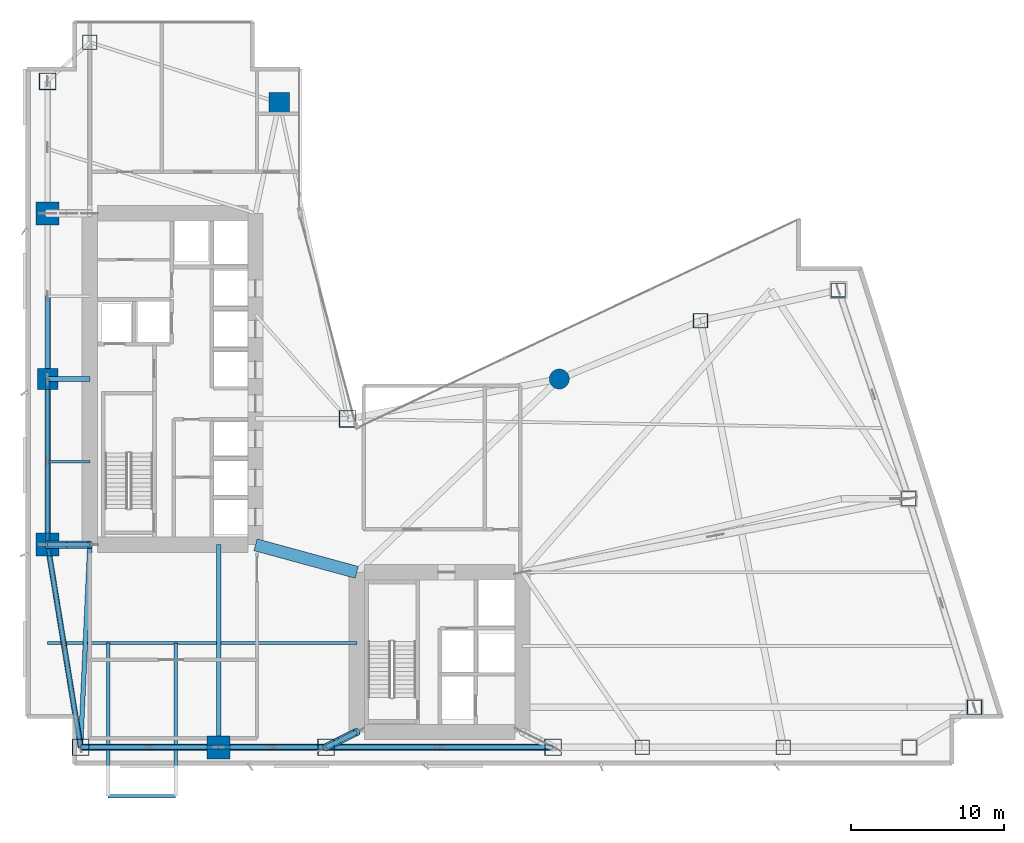
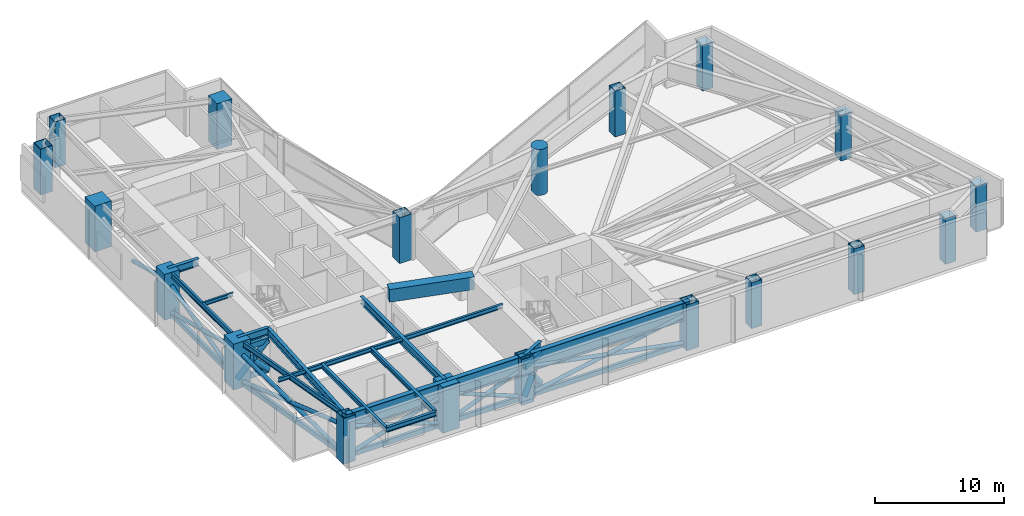
# One storey, part 1 of 18: 31 members, 19 columns, 16 beams.
"""IFC4 building model written with IfcOpenShell, lengths in metres."""

from ifc_helpers import new_model, si_unit, direction, frame, origin, origin_2d, place, context, subcontext, project, spatial, rectangle, hollow_rectangle, circle, hollow_circle, i_section, extrude, material, material_profile, profile_set, type_object, element, save


model = new_model("IFC4")

# Units and contexts
model_context = context("Model", 3, precision=1e-05, world=origin(), true_north=direction((0.0, 1.0)))
body_context = subcontext(model_context, "Body", "Model", "MODEL_VIEW")
ifc_project = project(units=[si_unit("LENGTHUNIT", "METRE"), si_unit("AREAUNIT", "SQUARE_METRE"), si_unit("VOLUMEUNIT", "CUBIC_METRE"), si_unit("PLANEANGLEUNIT", "RADIAN"), si_unit("MASSUNIT", "GRAM", prefix="KILO")], contexts=[model_context])

# Site, building, storey
site_placement = place(None, origin())
site = spatial("IfcSite", under=ifc_project, at=site_placement, CompositionType="ELEMENT")
building_placement = place(site_placement, origin())
building = spatial("IfcBuilding", under=site, at=building_placement, Name="Calvorn Quay Hotel", CompositionType="ELEMENT")
storey_placement = place(building_placement, frame((0.0, 0.0, 92.60009765625)))
storey = spatial("IfcBuildingStorey", under=building, at=storey_placement, Name="L22", CompositionType="ELEMENT", Elevation=92.60009765625)

# Columns
ifc_material_1 = material(Name="Concrete C60", Category="concrete")
ifc_material_profile_1 = material_profile(ifc_material_1, rectangle(XDim=1.35009765625, YDim=1.35009765625, at=origin_2d()), Name="RC1350x1350")
ifc_profile_set_1 = profile_set([ifc_material_profile_1], Name="Concrete C60")
column_type_1 = type_object("IfcColumnType", Name="COL-RC-1350", PredefinedType="COLUMN", material=ifc_profile_set_1)
for number, where, z_axis, x_axis, name in (
    (1, (1.449951171875, 27.60009765625, 0.0), (0.0, 0.0, 1.0), (1.0, 0.0, 0.0), "Column C-W3 (L22)"),
    (2, (16.550048828125, 45.60009765625, 0.0), (0.0, 0.0, 1.0), (1.0, 0.0, 0.0), "Column C-IC1 (L22)"),
):
    element("IfcColumn", number, at=place(storey_placement, frame(where, z_axis=z_axis, x_axis=x_axis)), inside=storey, type_object=column_type_1, Name=name, PredefinedType="COLUMN", context=body_context, shape_type="SweptSolid", body=[
        extrude(rectangle(XDim=1.35009765625, YDim=1.35009765625, at=origin_2d()), origin(), (0.0, 0.0, 1.0), 4.349853515625),
    ])
ifc_material_2 = material(Name="Concrete C60", Category="concrete")
ifc_material_profile_2 = material_profile(ifc_material_2, rectangle(XDim=1.5, YDim=1.5, at=origin_2d()), Name="RC1500x1500")
ifc_profile_set_2 = profile_set([ifc_material_profile_2], Name="Concrete C60")
column_type_2 = type_object("IfcColumnType", Name="COL-RC-1500", PredefinedType="COLUMN", material=ifc_profile_set_2)
for number, where, z_axis, x_axis, name in (
    (3, (1.449951171875, 16.800048828125, 0.0), (0.0, 0.0, 1.0), (1.0, 0.0, 0.0), "Column C-W2 (L22)"),
    (4, (1.449951171875, 38.39990234375, 0.0), (0.0, 0.0, 1.0), (1.0, 0.0, 0.0), "Column C-W4 (L22)"),
    (5, (12.60009765625, 3.60009765625, 0.0), (0.0, 0.0, 1.0), (1.0, 0.0, 0.0), "Column C-S1 (L22)"),
):
    element("IfcColumn", number, at=place(storey_placement, frame(where, z_axis=z_axis, x_axis=x_axis)), inside=storey, type_object=column_type_2, Name=name, PredefinedType="COLUMN", context=body_context, shape_type="SweptSolid", body=[
        extrude(rectangle(XDim=1.5, YDim=1.5, at=origin_2d()), origin(), (0.0, 0.0, 1.0), 4.349853515625),
    ])
ifc_material_3 = material(Name="Concrete C60", Category="concrete")
ifc_material_profile_3 = material_profile(ifc_material_3, circle(Radius=0.64990234375, at=origin_2d()), Name="RCD1300")
ifc_profile_set_3 = profile_set([ifc_material_profile_3], Name="Concrete C60")
column_type_3 = type_object("IfcColumnType", Name="COL-RC-D1300", PredefinedType="COLUMN", material=ifc_profile_set_3)
column_placement = place(storey_placement, frame((34.800048828125, 27.60009765625, 0.0), z_axis=(0.0, 0.0, 1.0), x_axis=(1.0, 0.0, 0.0)))
element("IfcColumn", 6, at=column_placement, inside=storey, type_object=column_type_3, Name="Column C-NC1 (L22)", PredefinedType="COLUMN", context=body_context, shape_type="SweptSolid", body=[
    extrude(circle(Radius=0.64990234375, at=origin_2d()), origin(), (0.0, 0.0, 1.0), 4.349853515625),
])
ifc_material_4 = material(Name="Steel Q420GJC", Category="steel")
ifc_material_profile_4 = material_profile(ifc_material_4, hollow_rectangle(XDim=1.10009765625, YDim=1.10009765625, WallThickness=0.044921875, at=origin_2d()), Name="BOX1100x1100x45")
ifc_profile_set_4 = profile_set([ifc_material_profile_4], Name="Steel Q420GJC")
column_type_4 = type_object("IfcColumnType", Name="COL-STL-MEGA1", PredefinedType="COLUMN", material=ifc_profile_set_4)
for number, where, z_axis, x_axis, name in (
    (7, (3.60009765625, 3.60009765625, 0.0), (0.0, 0.0, 1.0), (1.0, 0.0, 0.0), "Column C-W1 (L22)"),
    (8, (1.449951171875, 47.0, 0.0), (0.0, 0.0, 1.0), (1.0, 0.0, 0.0), "Column C-W5 (L22)"),
    (9, (21.0, 25.0, 0.0), (0.0, 0.0, 1.0), (1.0, 0.0, 0.0), "Column C-IC2 (L22)"),
    (10, (19.60009765625, 3.60009765625, 0.0), (0.0, 0.0, 1.0), (1.0, 0.0, 0.0), "Column C-S2 (L22)"),
    (11, (34.39990234375, 3.60009765625, 0.0), (0.0, 0.0, 1.0), (1.0, 0.0, 0.0), "Column C-S3 (L22)"),
):
    element("IfcColumn", number, at=place(storey_placement, frame(where, z_axis=z_axis, x_axis=x_axis)), inside=storey, type_object=column_type_4, Name=name, PredefinedType="COLUMN", context=body_context, shape_type="SweptSolid", body=[
        extrude(hollow_rectangle(XDim=1.10009765625, YDim=1.10009765625, WallThickness=0.044921875, at=origin_2d()), origin(), (0.0, 0.0, 1.0), 4.349853515625),
    ])
ifc_material_5 = material(Name="Steel Q420GJC", Category="steel")
ifc_material_profile_5 = material_profile(ifc_material_5, hollow_rectangle(XDim=0.949951171875, YDim=0.949951171875, WallThickness=0.0400390625, at=origin_2d()), Name="BOX950x950x40")
ifc_profile_set_5 = profile_set([ifc_material_profile_5], Name="Steel Q420GJC")
column_type_5 = type_object("IfcColumnType", Name="COL-STL-MEGA2", PredefinedType="COLUMN", material=ifc_profile_set_5)
for number, where, z_axis, x_axis, name in (
    (12, (4.199951171875, 49.550048828125, 0.0), (0.0, 0.0, 1.0), (1.0, 0.0, 0.0), "Column C-NW1 (L22)"),
    (13, (40.199951171875, 3.60009765625, 0.0), (0.0, 0.0, 1.0), (1.0, 0.0, 0.0), "Column C-S4 (L22)"),
    (14, (49.39990234375, 3.60009765625, 0.0), (0.0, 0.0, 1.0), (1.0, 0.0, 0.0), "Column C-S5 (L22)"),
    (15, (57.60009765625, 3.60009765625, 0.0), (0.0, 0.0, 1.0), (1.0, 0.0, 0.0), "Column C-S6 (L22)"),
    (16, (44.0, 31.39990234375, 0.0), (0.0, 0.0, 1.0), (1.0, 0.0, 0.0), "Column C-NC2 (L22)"),
    (17, (61.861083984375, 6.199951171875, 0.0), (0.0, 0.0, 1.0), (1.0, 0.0, 0.0), "Column C-ET1 (L22)"),
    (18, (57.575927734375, 19.800048828125, 0.0), (0.0, 0.0, 1.0), (1.0, 0.0, 0.0), "Column C-ET2 (L22)"),
    (19, (52.990966796875, 33.39990234375, 0.0), (0.0, 0.0, 1.0), (1.0, 0.0, 0.0), "Column C-ET3 (L22)"),
):
    element("IfcColumn", number, at=place(storey_placement, frame(where, z_axis=z_axis, x_axis=x_axis)), inside=storey, type_object=column_type_5, Name=name, PredefinedType="COLUMN", context=body_context, shape_type="SweptSolid", body=[
        extrude(hollow_rectangle(XDim=0.949951171875, YDim=0.949951171875, WallThickness=0.0400390625, at=origin_2d()), origin(), (0.0, 0.0, 1.0), 4.349853515625),
    ])

# Beams
ifc_material_6 = material(Name="Steel Q355B", Category="steel")
ifc_material_profile_6 = material_profile(ifc_material_6, i_section(OverallWidth=0.25, OverallDepth=0.449951171875, WebThickness=0.011962890625, FlangeThickness=0.01611328125, FilletRadius=0.01611328125, at=origin_2d()), Name="HN450x250x12x16")
ifc_profile_set_6 = profile_set([ifc_material_profile_6], Name="Steel Q355B")
beam_type_1 = type_object("IfcBeamType", Name="BM-CANT-BALC", PredefinedType="BEAM", material=ifc_profile_set_6)
for number, where, z_axis, x_axis, name in (
    (20, (5.39990234375, 10.39990234375, 4.125), (0.0, -1.0, 0.0), (1.0, 0.0, 0.0), "Cantilever Balcony Beam BCB-L23-1A"),
    (21, (9.800048828125, 10.39990234375, 4.125), (0.0, -1.0, 0.0), (1.0, 0.0, 0.0), "Cantilever Balcony Beam BCB-L23-1B"),
):
    element("IfcBeam", number, at=place(storey_placement, frame(where, z_axis=z_axis, x_axis=x_axis)), inside=storey, type_object=beam_type_1, Name=name, PredefinedType="BEAM", context=body_context, shape_type="SweptSolid", body=[
        extrude(i_section(OverallWidth=0.25, OverallDepth=0.449951171875, WebThickness=0.011962890625, FlangeThickness=0.01611328125, FilletRadius=0.01611328125, at=origin_2d()), origin(), (0.0, 0.0, 1.0), 9.989990234375),
    ])
beam_1_placement = place(storey_placement, frame((5.39990234375, 0.409912109375, 4.125), z_axis=(1.0, 0.0, 0.0), x_axis=(0.0, 1.0, 0.0)))
element("IfcBeam", 22, at=beam_1_placement, inside=storey, type_object=beam_type_1, Name="Beam BCBO-L23-1", PredefinedType="BEAM", context=body_context, shape_type="SweptSolid", body=[
    extrude(i_section(OverallWidth=0.25, OverallDepth=0.449951171875, WebThickness=0.011962890625, FlangeThickness=0.01611328125, FilletRadius=0.01611328125, at=origin_2d()), origin(), (0.0, 0.0, 1.0), 4.400146484375),
])
ifc_material_7 = material(Name="Steel Q390GJC", Category="steel")
ifc_material_profile_7 = material_profile(ifc_material_7, i_section(OverallWidth=0.300048828125, OverallDepth=0.699951171875, WebThickness=0.012939453125, FlangeThickness=0.02392578125, FilletRadius=0.02392578125, at=origin_2d()), Name="HN700x300x13x24")
ifc_profile_set_7 = profile_set([ifc_material_profile_7], Name="Steel Q390GJC")
beam_type_2 = type_object("IfcBeamType", Name="BM-GIRD-MAIN", PredefinedType="BEAM", material=ifc_profile_set_7)
beam_2_placement = place(storey_placement, frame((3.60009765625, 3.60009765625, 4.0), z_axis=(0.045396765494, 0.998969035397, 0.0), x_axis=(-0.998969035397, 0.045396765494, 0.0)))
element("IfcBeam", 23, at=beam_2_placement, inside=storey, type_object=beam_type_2, Name="Beam BG-L22-W0", PredefinedType="BEAM", context=body_context, shape_type="SweptSolid", body=[
    extrude(i_section(OverallWidth=0.300048828125, OverallDepth=0.699951171875, WebThickness=0.012939453125, FlangeThickness=0.02392578125, FilletRadius=0.02392578125, at=origin_2d()), origin(), (0.0, 0.0, 1.0), 13.213623046875),
])
for number, where, z_axis, x_axis, name in (
    (24, (1.449951171875, 16.800048828125, 4.0), (1.0, 0.0, 0.0), (0.0, 1.0, 0.0), "Beam BG-L22-W1"),
    (25, (1.449951171875, 27.60009765625, 4.0), (1.0, 0.0, 0.0), (0.0, 1.0, 0.0), "Beam BG-L22-W2"),
):
    element("IfcBeam", number, at=place(storey_placement, frame(where, z_axis=z_axis, x_axis=x_axis)), inside=storey, type_object=beam_type_2, Name=name, PredefinedType="BEAM", context=body_context, shape_type="SweptSolid", body=[
        extrude(i_section(OverallWidth=0.300048828125, OverallDepth=0.699951171875, WebThickness=0.012939453125, FlangeThickness=0.02392578125, FilletRadius=0.02392578125, at=origin_2d()), origin(), (0.0, 0.0, 1.0), 2.75),
    ])
beam_3_placement = place(storey_placement, frame((12.60009765625, 3.60009765625, 4.0), z_axis=(0.0, 1.0, 0.0), x_axis=(-1.0, 0.0, 0.0)))
element("IfcBeam", 26, at=beam_3_placement, inside=storey, type_object=beam_type_2, Name="Beam BG-L22-S1", PredefinedType="BEAM", context=body_context, shape_type="SweptSolid", body=[
    extrude(i_section(OverallWidth=0.300048828125, OverallDepth=0.699951171875, WebThickness=0.012939453125, FlangeThickness=0.02392578125, FilletRadius=0.02392578125, at=origin_2d()), origin(), (0.0, 0.0, 1.0), 13.199951171875),
])
beam_4_placement = place(storey_placement, frame((19.60009765625, 3.60009765625, 4.0), z_axis=(0.894427191, 0.4472135955, 0.0), x_axis=(-0.4472135955, 0.894427191, 0.0)))
element("IfcBeam", 27, at=beam_4_placement, inside=storey, type_object=beam_type_2, Name="Beam BG-L22-S2", PredefinedType="BEAM", context=body_context, shape_type="SweptSolid", body=[
    extrude(i_section(OverallWidth=0.300048828125, OverallDepth=0.699951171875, WebThickness=0.012939453125, FlangeThickness=0.02392578125, FilletRadius=0.02392578125, at=origin_2d()), origin(), (0.0, 0.0, 1.0), 2.236083984375),
])
ifc_material_8 = material(Name="Steel Q355B", Category="steel")
ifc_material_profile_8 = material_profile(ifc_material_8, i_section(OverallWidth=0.175048828125, OverallDepth=0.35009765625, WebThickness=0.007080078125, FlangeThickness=0.010986328125, FilletRadius=0.013916015625, at=origin_2d()), Name="HN350x175x7x11")
ifc_profile_set_8 = profile_set([ifc_material_profile_8], Name="Steel Q355B")
beam_type_3 = type_object("IfcBeamType", Name="BM-JOIST-SEC", PredefinedType="JOIST", material=ifc_profile_set_8)
beam_5_placement = place(storey_placement, frame((1.449951171875, 22.199951171875, 4.1748046875), z_axis=(1.0, 0.0, 0.0), x_axis=(0.0, 1.0, 0.0)))
element("IfcBeam", 28, at=beam_5_placement, inside=storey, type_object=beam_type_3, Name="Beam BJ-L22-W3", PredefinedType="JOIST", context=body_context, shape_type="SweptSolid", body=[
    extrude(i_section(OverallWidth=0.175048828125, OverallDepth=0.35009765625, WebThickness=0.007080078125, FlangeThickness=0.010986328125, FilletRadius=0.013916015625, at=origin_2d()), origin(), (0.0, 0.0, 1.0), 2.75),
])
ifc_material_9 = material(Name="Steel Q355B", Category="steel")
ifc_material_profile_9 = material_profile(ifc_material_9, i_section(OverallWidth=0.199951171875, OverallDepth=0.39990234375, WebThickness=0.008056640625, FlangeThickness=0.012939453125, FilletRadius=0.01611328125, at=origin_2d()), Name="HN400x200x8x13")
ifc_profile_set_9 = profile_set([ifc_material_profile_9], Name="Steel Q355B")
beam_type_4 = type_object("IfcBeamType", Name="BM-JOIST-TYP", PredefinedType="JOIST", material=ifc_profile_set_9)
beam_6_placement = place(storey_placement, frame((1.449951171875, 10.39990234375, 4.14990234375), z_axis=(1.0, 0.0, 0.0), x_axis=(0.0, 1.0, 0.0)))
element("IfcBeam", 29, at=beam_6_placement, inside=storey, type_object=beam_type_4, Name="Beam BJ-L22-W1", PredefinedType="JOIST", context=body_context, shape_type="SweptSolid", body=[
    extrude(i_section(OverallWidth=0.199951171875, OverallDepth=0.39990234375, WebThickness=0.008056640625, FlangeThickness=0.012939453125, FilletRadius=0.01611328125, at=origin_2d()), origin(), (0.0, 0.0, 1.0), 20.150146484375),
])
ifc_material_10 = material(Name="Concrete C60", Category="concrete")
ifc_material_profile_10 = material_profile(ifc_material_10, rectangle(XDim=0.800048828125, YDim=1.199951171875, at=origin_2d()), Name="RCB800x1200")
ifc_profile_set_10 = profile_set([ifc_material_profile_10], Name="Concrete C60")
beam_type_5 = type_object("IfcBeamType", Name="BM-RC-LINK-800x1200", PredefinedType="BEAM", material=ifc_profile_set_10)
beam_7_placement = place(storey_placement, frame((15.0, 16.800048828125, 3.75), z_axis=(0.964762997686, -0.263120425462, 0.0), x_axis=(0.263120425462, 0.964762997686, 0.0)))
element("IfcBeam", 30, at=beam_7_placement, inside=storey, type_object=beam_type_5, Name="Beam BCL-L22-01", PredefinedType="BEAM", context=body_context, shape_type="SweptSolid", body=[
    extrude(rectangle(XDim=0.800048828125, YDim=1.199951171875, at=origin_2d()), origin(), (0.0, 0.0, 1.0), 6.841064453125),
])
ifc_material_11 = material(Name="Steel Q355B", Category="steel")
ifc_material_profile_11 = material_profile(ifc_material_11, i_section(OverallWidth=0.199951171875, OverallDepth=0.5, WebThickness=0.010009765625, FlangeThickness=0.01611328125, FilletRadius=0.01611328125, at=origin_2d()), Name="HN500x200x10x16")
ifc_profile_set_11 = profile_set([ifc_material_profile_11], Name="Steel Q355B")
beam_type_6 = type_object("IfcBeamType", Name="BM-SPANDREL-Z1", PredefinedType="SPANDREL", material=ifc_profile_set_11)
beam_8_placement = place(storey_placement, frame((3.60009765625, 3.60009765625, 4.099853515625), z_axis=(-0.16077155054, 0.986991645627, 0.0), x_axis=(-0.986991645627, -0.16077155054, 0.0)))
element("IfcBeam", 31, at=beam_8_placement, inside=storey, type_object=beam_type_6, Name="Beam BSP-L22-W1", PredefinedType="SPANDREL", context=body_context, shape_type="SweptSolid", body=[
    extrude(i_section(OverallWidth=0.199951171875, OverallDepth=0.5, WebThickness=0.010009765625, FlangeThickness=0.01611328125, FilletRadius=0.01611328125, at=origin_2d()), origin(), (0.0, 0.0, 1.0), 13.3740234375),
])
beam_9_placement = place(storey_placement, frame((1.449951171875, 16.800048828125, 4.099853515625), z_axis=(0.0, 1.0, 0.0), x_axis=(-1.0, 0.0, 0.0)))
element("IfcBeam", 32, at=beam_9_placement, inside=storey, type_object=beam_type_6, Name="Beam BSP-L22-W2", PredefinedType="SPANDREL", context=body_context, shape_type="SweptSolid", body=[
    extrude(i_section(OverallWidth=0.199951171875, OverallDepth=0.5, WebThickness=0.010009765625, FlangeThickness=0.01611328125, FilletRadius=0.01611328125, at=origin_2d()), origin(), (0.0, 0.0, 1.0), 10.800048828125),
])
ifc_material_12 = material(Name="Steel Q420GJC", Category="steel")
ifc_material_profile_12 = material_profile(ifc_material_12, i_section(OverallWidth=0.419921875, OverallDepth=1.699951171875, WebThickness=0.02392578125, FlangeThickness=0.0419921875, FilletRadius=0.02392578125, at=origin_2d()), Name="HN1700x420x24x42")
ifc_profile_set_12 = profile_set([ifc_material_profile_12], Name="Steel Q420GJC")
beam_type_7 = type_object("IfcBeamType", Name="BM-XFER-SAWTOOTH", PredefinedType="BEAM", material=ifc_profile_set_12)
beam_10_placement = place(storey_placement, frame((3.60009765625, 3.60009765625, 3.5), z_axis=(1.0, 0.0, 0.0), x_axis=(0.0, 1.0, 0.0)))
element("IfcBeam", 33, at=beam_10_placement, inside=storey, type_object=beam_type_7, Name="Beam BSP-L22-S1", PredefinedType="BEAM", context=body_context, shape_type="SweptSolid", body=[
    extrude(i_section(OverallWidth=0.419921875, OverallDepth=1.699951171875, WebThickness=0.02392578125, FlangeThickness=0.0419921875, FilletRadius=0.02392578125, at=origin_2d()), origin(), (0.0, 0.0, 1.0), 9.0),
])
beam_11_placement = place(storey_placement, frame((12.60009765625, 3.60009765625, 3.5), z_axis=(1.0, 0.0, 0.0), x_axis=(0.0, 1.0, 0.0)))
element("IfcBeam", 34, at=beam_11_placement, inside=storey, type_object=beam_type_7, Name="Beam BSP-L22-S2", PredefinedType="BEAM", context=body_context, shape_type="SweptSolid", body=[
    extrude(i_section(OverallWidth=0.419921875, OverallDepth=1.699951171875, WebThickness=0.02392578125, FlangeThickness=0.0419921875, FilletRadius=0.02392578125, at=origin_2d()), origin(), (0.0, 0.0, 1.0), 7.0),
])
beam_12_placement = place(storey_placement, frame((19.60009765625, 3.60009765625, 3.5), z_axis=(1.0, 0.0, 0.0), x_axis=(0.0, 1.0, 0.0)))
element("IfcBeam", 35, at=beam_12_placement, inside=storey, type_object=beam_type_7, Name="Beam BSP-L22-S3", PredefinedType="BEAM", context=body_context, shape_type="SweptSolid", body=[
    extrude(i_section(OverallWidth=0.419921875, OverallDepth=1.699951171875, WebThickness=0.02392578125, FlangeThickness=0.0419921875, FilletRadius=0.02392578125, at=origin_2d()), origin(), (0.0, 0.0, 1.0), 14.7998046875),
])

# Members
ifc_material_13 = material(Name="Steel Q390GJC", Category="steel")
ifc_material_profile_13 = material_profile(ifc_material_13, hollow_rectangle(XDim=0.25, YDim=0.449951171875, WallThickness=0.01611328125, at=origin_2d()), Name="RHS450x250x16")
ifc_profile_set_13 = profile_set([ifc_material_profile_13], Name="Steel Q390GJC")
member_type_1 = type_object("IfcMemberType", Name="MEM-BELT-CHORD", PredefinedType="CHORD", material=ifc_profile_set_13)
member_1_placement = place(storey_placement, frame((3.60009765625, 3.60009765625, 0.349853515625), z_axis=(-0.16077155054, 0.986991645627, 0.0), x_axis=(-0.986991645627, -0.16077155054, 0.0)))
element("IfcMember", 36, at=member_1_placement, inside=storey, type_object=member_type_1, Name="Belt Truss Chord L22-BW1", PredefinedType="CHORD", context=body_context, shape_type="SweptSolid", body=[
    extrude(hollow_rectangle(XDim=0.25, YDim=0.449951171875, WallThickness=0.01611328125, at=origin_2d()), origin(), (0.0, 0.0, 1.0), 13.3740234375),
])
member_2_placement = place(storey_placement, frame((1.449951171875, 16.800048828125, 0.349853515625), z_axis=(0.0, 1.0, 0.0), x_axis=(-1.0, 0.0, 0.0)))
element("IfcMember", 37, at=member_2_placement, inside=storey, type_object=member_type_1, Name="Belt Truss Chord L22-BW2", PredefinedType="CHORD", context=body_context, shape_type="SweptSolid", body=[
    extrude(hollow_rectangle(XDim=0.25, YDim=0.449951171875, WallThickness=0.01611328125, at=origin_2d()), origin(), (0.0, 0.0, 1.0), 10.800048828125),
])
member_3_placement = place(storey_placement, frame((3.60009765625, 3.60009765625, 0.349853515625), z_axis=(1.0, 0.0, 0.0), x_axis=(0.0, 1.0, 0.0)))
element("IfcMember", 38, at=member_3_placement, inside=storey, type_object=member_type_1, Name="Belt Truss Chord L22-BS1", PredefinedType="CHORD", context=body_context, shape_type="SweptSolid", body=[
    extrude(hollow_rectangle(XDim=0.25, YDim=0.449951171875, WallThickness=0.01611328125, at=origin_2d()), origin(), (0.0, 0.0, 1.0), 9.0),
])
member_4_placement = place(storey_placement, frame((12.60009765625, 3.60009765625, 0.349853515625), z_axis=(1.0, 0.0, 0.0), x_axis=(0.0, 1.0, 0.0)))
element("IfcMember", 39, at=member_4_placement, inside=storey, type_object=member_type_1, Name="Belt Truss Chord L22-BS2", PredefinedType="CHORD", context=body_context, shape_type="SweptSolid", body=[
    extrude(hollow_rectangle(XDim=0.25, YDim=0.449951171875, WallThickness=0.01611328125, at=origin_2d()), origin(), (0.0, 0.0, 1.0), 7.0),
])
member_5_placement = place(storey_placement, frame((19.60009765625, 3.60009765625, 0.349853515625), z_axis=(1.0, 0.0, 0.0), x_axis=(0.0, 1.0, 0.0)))
element("IfcMember", 40, at=member_5_placement, inside=storey, type_object=member_type_1, Name="Belt Truss Chord L22-BS3", PredefinedType="CHORD", context=body_context, shape_type="SweptSolid", body=[
    extrude(hollow_rectangle(XDim=0.25, YDim=0.449951171875, WallThickness=0.01611328125, at=origin_2d()), origin(), (0.0, 0.0, 1.0), 14.7998046875),
])
ifc_material_14 = material(Name="Steel Q390GJC", Category="steel")
ifc_material_profile_14 = material_profile(ifc_material_14, hollow_circle(Radius=0.177978515625, WallThickness=0.013916015625, at=origin_2d()), Name="CHS356x14")
ifc_profile_set_14 = profile_set([ifc_material_profile_14], Name="Steel Q390GJC")
member_type_2 = type_object("IfcMemberType", Name="MEM-BELT-DIAG", PredefinedType="BRACE", material=ifc_profile_set_14)
member_6_placement = place(storey_placement, frame((3.60009765625, 3.60009765625, 0.349853515625), z_axis=(-0.157359667891, 0.966045777664, 0.204923132854), x_axis=(-0.986991645627, -0.16077155054, 0.0)))
element("IfcMember", 41, at=member_6_placement, inside=storey, type_object=member_type_2, Name="Belt Truss Continuous Brace L22-BW1A", PredefinedType="BRACE", context=body_context, shape_type="SweptSolid", body=[
    extrude(hollow_circle(Radius=0.177978515625, WallThickness=0.013916015625, at=origin_2d()), origin(), (0.0, 0.0, 1.0), 13.663818359375),
])
member_7_placement = place(storey_placement, frame((3.60009765625, 3.60009765625, 3.14990234375), z_axis=(-0.157380385683, 0.966045405581, -0.204908976274), x_axis=(-0.986988276812, -0.160792230647, 0.0)))
element("IfcMember", 42, at=member_7_placement, inside=storey, type_object=member_type_2, Name="Belt Truss Split Brace B1 L22-BW1", PredefinedType="BRACE", context=body_context, shape_type="SweptSolid", body=[
    extrude(hollow_circle(Radius=0.177978515625, WallThickness=0.013916015625, at=origin_2d()), origin(), (0.0, 0.0, 1.0), 6.831787109375),
])
member_8_placement = place(storey_placement, frame((2.52490234375, 10.199951171875, 1.75), z_axis=(-0.157338950751, 0.966046149125, -0.204937288793), x_axis=(-0.986995013907, -0.160750870986, 0.0)))
element("IfcMember", 43, at=member_8_placement, inside=storey, type_object=member_type_2, Name="Belt Truss Split Brace B2 L22-BW1", PredefinedType="BRACE", context=body_context, shape_type="SweptSolid", body=[
    extrude(hollow_circle(Radius=0.177978515625, WallThickness=0.013916015625, at=origin_2d()), origin(), (0.0, 0.0, 1.0), 6.83203125),
])
member_9_placement = place(storey_placement, frame((1.449951171875, 16.800048828125, 0.349853515625), z_axis=(0.0, 0.967996110632, 0.250965196393), x_axis=(-1.0, 0.0, 0.0)))
element("IfcMember", 44, at=member_9_placement, inside=storey, type_object=member_type_2, Name="Belt Truss Continuous Brace L22-BW2A", PredefinedType="BRACE", context=body_context, shape_type="SweptSolid", body=[
    extrude(hollow_circle(Radius=0.177978515625, WallThickness=0.013916015625, at=origin_2d()), origin(), (0.0, 0.0, 1.0), 11.1572265625),
])
member_10_placement = place(storey_placement, frame((1.449951171875, 16.800048828125, 3.14990234375), z_axis=(0.0, 0.968000048288, -0.250950007997), x_axis=(-1.0, 0.0, 0.0)))
element("IfcMember", 45, at=member_10_placement, inside=storey, type_object=member_type_2, Name="Belt Truss Split Brace B1 L22-BW2", PredefinedType="BRACE", context=body_context, shape_type="SweptSolid", body=[
    extrude(hollow_circle(Radius=0.177978515625, WallThickness=0.013916015625, at=origin_2d()), origin(), (0.0, 0.0, 1.0), 5.578369140625),
])
member_11_placement = place(storey_placement, frame((1.449951171875, 22.199951171875, 1.75), z_axis=(0.0, 0.967992172948, -0.250980383917), x_axis=(-1.0, 0.0, 0.0)))
element("IfcMember", 46, at=member_11_placement, inside=storey, type_object=member_type_2, Name="Belt Truss Split Brace B2 L22-BW2", PredefinedType="BRACE", context=body_context, shape_type="SweptSolid", body=[
    extrude(hollow_circle(Radius=0.177978515625, WallThickness=0.013916015625, at=origin_2d()), origin(), (0.0, 0.0, 1.0), 5.57861328125),
])
member_12_placement = place(storey_placement, frame((1.449951171875, 27.60009765625, 3.14990234375), z_axis=(0.0, 0.968000048288, -0.250950007997), x_axis=(-1.0, 0.0, 0.0)))
element("IfcMember", 47, at=member_12_placement, inside=storey, type_object=member_type_2, Name="Belt Truss Split Brace B1 L22-BW3", PredefinedType="BRACE", context=body_context, shape_type="SweptSolid", body=[
    extrude(hollow_circle(Radius=0.177978515625, WallThickness=0.013916015625, at=origin_2d()), origin(), (0.0, 0.0, 1.0), 5.578369140625),
])
member_13_placement = place(storey_placement, frame((3.60009765625, 3.60009765625, 0.349853515625), z_axis=(0.954855306861, 0.0, 0.29707127589), x_axis=(0.0, 1.0, 0.0)))
element("IfcMember", 48, at=member_13_placement, inside=storey, type_object=member_type_2, Name="Belt Truss Continuous Brace L22-BS1A", PredefinedType="BRACE", context=body_context, shape_type="SweptSolid", body=[
    extrude(hollow_circle(Radius=0.177978515625, WallThickness=0.013916015625, at=origin_2d()), origin(), (0.0, 0.0, 1.0), 9.425537109375),
])
member_14_placement = place(storey_placement, frame((3.60009765625, 3.60009765625, 3.14990234375), z_axis=(0.95486265402, 0.0, -0.297047659405), x_axis=(0.0, 1.0, 0.0)))
element("IfcMember", 49, at=member_14_placement, inside=storey, type_object=member_type_2, Name="Belt Truss Split Brace B1 L22-BS1", PredefinedType="BRACE", context=body_context, shape_type="SweptSolid", body=[
    extrude(hollow_circle(Radius=0.177978515625, WallThickness=0.013916015625, at=origin_2d()), origin(), (0.0, 0.0, 1.0), 4.712646484375),
])
member_15_placement = place(storey_placement, frame((8.10009765625, 3.60009765625, 1.75), z_axis=(0.954847959232, 0.0, -0.297094891829), x_axis=(0.0, 1.0, 0.0)))
element("IfcMember", 50, at=member_15_placement, inside=storey, type_object=member_type_2, Name="Belt Truss Split Brace B2 L22-BS1", PredefinedType="BRACE", context=body_context, shape_type="SweptSolid", body=[
    extrude(hollow_circle(Radius=0.177978515625, WallThickness=0.013916015625, at=origin_2d()), origin(), (0.0, 0.0, 1.0), 4.712890625),
])
member_16_placement = place(storey_placement, frame((12.60009765625, 3.60009765625, 0.349853515625), z_axis=(0.928474457584, 0.0, 0.371396259558), x_axis=(0.0, 1.0, 0.0)))
element("IfcMember", 51, at=member_16_placement, inside=storey, type_object=member_type_2, Name="Belt Truss Continuous Brace L22-BS2A", PredefinedType="BRACE", context=body_context, shape_type="SweptSolid", body=[
    extrude(hollow_circle(Radius=0.177978515625, WallThickness=0.013916015625, at=origin_2d()), origin(), (0.0, 0.0, 1.0), 7.539306640625),
])
member_17_placement = place(storey_placement, frame((12.60009765625, 3.60009765625, 3.14990234375), z_axis=(0.92848562386, 0.0, -0.371368343137), x_axis=(0.0, 1.0, 0.0)))
element("IfcMember", 52, at=member_17_placement, inside=storey, type_object=member_type_2, Name="Belt Truss Split Brace B1 L22-BS2", PredefinedType="BRACE", context=body_context, shape_type="SweptSolid", body=[
    extrude(hollow_circle(Radius=0.177978515625, WallThickness=0.013916015625, at=origin_2d()), origin(), (0.0, 0.0, 1.0), 3.76953125),
])
member_18_placement = place(storey_placement, frame((16.10009765625, 3.60009765625, 1.75), z_axis=(0.928463290738, 0.0, -0.371424174971), x_axis=(0.0, 1.0, 0.0)))
element("IfcMember", 53, at=member_18_placement, inside=storey, type_object=member_type_2, Name="Belt Truss Split Brace B2 L22-BS2", PredefinedType="BRACE", context=body_context, shape_type="SweptSolid", body=[
    extrude(hollow_circle(Radius=0.177978515625, WallThickness=0.013916015625, at=origin_2d()), origin(), (0.0, 0.0, 1.0), 3.769775390625),
])
member_19_placement = place(storey_placement, frame((19.60009765625, 3.60009765625, 0.349853515625), z_axis=(0.982569205492, 0.0, 0.185897166245), x_axis=(0.0, 1.0, 0.0)))
element("IfcMember", 54, at=member_19_placement, inside=storey, type_object=member_type_2, Name="Belt Truss Continuous Brace L22-BS3A", PredefinedType="BRACE", context=body_context, shape_type="SweptSolid", body=[
    extrude(hollow_circle(Radius=0.177978515625, WallThickness=0.013916015625, at=origin_2d()), origin(), (0.0, 0.0, 1.0), 15.062255859375),
])
for number, where, z_axis, x_axis, name in (
    (55, (19.60009765625, 3.60009765625, 3.14990234375), (0.982572166, 0.0, -0.185881517646), (0.0, 1.0, 0.0), "Belt Truss Split Brace B1 L22-BS3"),
    (56, (27.0, 3.60009765625, 1.75), (0.982566244754, 0.0, -0.185912814703), (0.0, 1.0, 0.0), "Belt Truss Split Brace B2 L22-BS3"),
):
    element("IfcMember", number, at=place(storey_placement, frame(where, z_axis=z_axis, x_axis=x_axis)), inside=storey, type_object=member_type_2, Name=name, PredefinedType="BRACE", context=body_context, shape_type="SweptSolid", body=[
        extrude(hollow_circle(Radius=0.177978515625, WallThickness=0.013916015625, at=origin_2d()), origin(), (0.0, 0.0, 1.0), 7.53125),
    ])
ifc_material_15 = material(Name="Steel Q390GJC", Category="steel")
ifc_material_profile_15 = material_profile(ifc_material_15, hollow_rectangle(XDim=0.300048828125, YDim=0.5, WallThickness=0.02001953125, at=origin_2d()), Name="RHS500x300x20")
ifc_profile_set_15 = profile_set([ifc_material_profile_15], Name="Steel Q390GJC")
member_type_3 = type_object("IfcMemberType", Name="MEM-OUTRIGGER-CHORD", PredefinedType="CHORD", material=ifc_profile_set_15)
for number, where, z_axis, x_axis, name in (
    (57, (4.199951171875, 16.800048828125, 3.14990234375), (-1.0, 0.0, 0.0), (0.0, -1.0, 0.0), "Outrigger Top Chord L22-OW1"),
    (58, (4.199951171875, 16.800048828125, 0.349853515625), (-1.0, 0.0, 0.0), (0.0, -1.0, 0.0), "Outrigger Bottom Chord L22-OW1"),
):
    element("IfcMember", number, at=place(storey_placement, frame(where, z_axis=z_axis, x_axis=x_axis)), inside=storey, type_object=member_type_3, Name=name, PredefinedType="CHORD", context=body_context, shape_type="SweptSolid", body=[
        extrude(hollow_rectangle(XDim=0.300048828125, YDim=0.5, WallThickness=0.02001953125, at=origin_2d()), origin(), (0.0, 0.0, 1.0), 2.75),
    ])
for number, where, z_axis, x_axis, name in (
    (59, (21.60009765625, 4.60009765625, 3.14990234375), (-0.894427191, -0.4472135955, 0.0), (0.4472135955, -0.894427191, 0.0), "Outrigger Top Chord L22-OE1"),
    (60, (21.60009765625, 4.60009765625, 0.349853515625), (-0.894427191, -0.4472135955, 0.0), (0.4472135955, -0.894427191, 0.0), "Outrigger Bottom Chord L22-OE1"),
):
    element("IfcMember", number, at=place(storey_placement, frame(where, z_axis=z_axis, x_axis=x_axis)), inside=storey, type_object=member_type_3, Name=name, PredefinedType="CHORD", context=body_context, shape_type="SweptSolid", body=[
        extrude(hollow_rectangle(XDim=0.300048828125, YDim=0.5, WallThickness=0.02001953125, at=origin_2d()), origin(), (0.0, 0.0, 1.0), 2.236083984375),
    ])
ifc_material_16 = material(Name="Steel Q390GJC", Category="steel")
ifc_material_profile_16 = material_profile(ifc_material_16, hollow_circle(Radius=0.25, WallThickness=0.02001953125, at=origin_2d()), Name="CHS500x20")
ifc_profile_set_16 = profile_set([ifc_material_profile_16], Name="Steel Q390GJC")
member_type_4 = type_object("IfcMemberType", Name="MEM-OUTRIGGER-DIAG1", PredefinedType="BRACE", material=ifc_profile_set_16)
member_20_placement = place(storey_placement, frame((4.199951171875, 16.800048828125, 0.349853515625), z_axis=(-0.700701795148, 0.0, 0.713454269225), x_axis=(0.0, -1.0, 0.0)))
element("IfcMember", 61, at=member_20_placement, inside=storey, type_object=member_type_4, Name="Outrigger Continuous Diagonal L22-OW1", PredefinedType="BRACE", context=body_context, shape_type="SweptSolid", body=[
    extrude(hollow_circle(Radius=0.25, WallThickness=0.02001953125, at=origin_2d()), origin(), (0.0, 0.0, 1.0), 3.924560546875),
])
member_21_placement = place(storey_placement, frame((4.199951171875, 16.800048828125, 3.14990234375), z_axis=(-0.7007328944, 0.0, -0.713423724519), x_axis=(0.0, -1.0, 0.0)))
element("IfcMember", 62, at=member_21_placement, inside=storey, type_object=member_type_4, Name="Outrigger Split Diagonal A L22-OW1", PredefinedType="BRACE", context=body_context, shape_type="SweptSolid", body=[
    extrude(hollow_circle(Radius=0.25, WallThickness=0.02001953125, at=origin_2d()), origin(), (0.0, 0.0, 1.0), 1.962158203125),
])
member_22_placement = place(storey_placement, frame((2.824951171875, 16.800048828125, 1.75), z_axis=(-0.700670697326, 0.0, -0.713484809866), x_axis=(0.0, -1.0, 0.0)))
element("IfcMember", 63, at=member_22_placement, inside=storey, type_object=member_type_4, Name="Outrigger Split Diagonal B L22-OW1", PredefinedType="BRACE", context=body_context, shape_type="SweptSolid", body=[
    extrude(hollow_circle(Radius=0.25, WallThickness=0.02001953125, at=origin_2d()), origin(), (0.0, 0.0, 1.0), 1.96240234375),
])
member_23_placement = place(storey_placement, frame((21.60009765625, 4.60009765625, 0.349853515625), z_axis=(-0.558139629163, -0.279069814582, 0.781409107284), x_axis=(0.4472135955, -0.894427191, 0.0)))
element("IfcMember", 64, at=member_23_placement, inside=storey, type_object=member_type_4, Name="Outrigger Continuous Diagonal L22-OE1", PredefinedType="BRACE", context=body_context, shape_type="SweptSolid", body=[
    extrude(hollow_circle(Radius=0.25, WallThickness=0.02001953125, at=origin_2d()), origin(), (0.0, 0.0, 1.0), 3.583251953125),
])
member_24_placement = place(storey_placement, frame((21.60009765625, 4.60009765625, 3.14990234375), z_axis=(-0.558169345139, -0.279084672569, -0.781382574469), x_axis=(0.4472135955, -0.894427191, 0.0)))
element("IfcMember", 65, at=member_24_placement, inside=storey, type_object=member_type_4, Name="Outrigger Split Diagonal A L22-OE1", PredefinedType="BRACE", context=body_context, shape_type="SweptSolid", body=[
    extrude(hollow_circle(Radius=0.25, WallThickness=0.02001953125, at=origin_2d()), origin(), (0.0, 0.0, 1.0), 1.79150390625),
])
member_25_placement = place(storey_placement, frame((20.60009765625, 4.10009765625, 1.75), z_axis=(-0.558109915343, -0.279054957671, -0.781435635862), x_axis=(0.4472135955, -0.894427191, 0.0)))
element("IfcMember", 66, at=member_25_placement, inside=storey, type_object=member_type_4, Name="Outrigger Split Diagonal B L22-OE1", PredefinedType="BRACE", context=body_context, shape_type="SweptSolid", body=[
    extrude(hollow_circle(Radius=0.25, WallThickness=0.02001953125, at=origin_2d()), origin(), (0.0, 0.0, 1.0), 1.791748046875),
])

save(model, "model.ifc")
